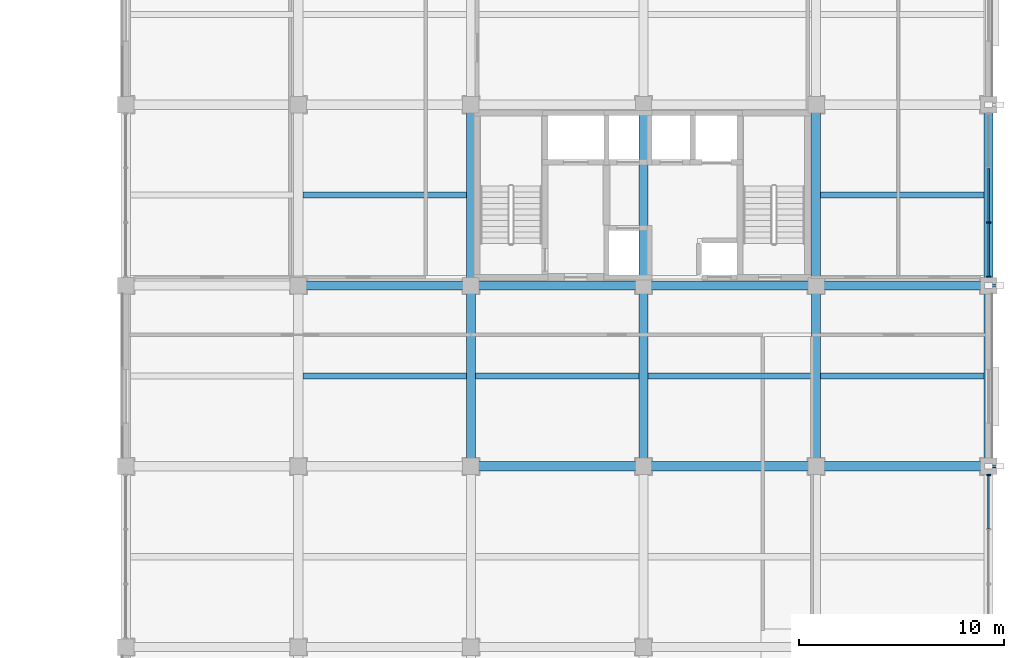
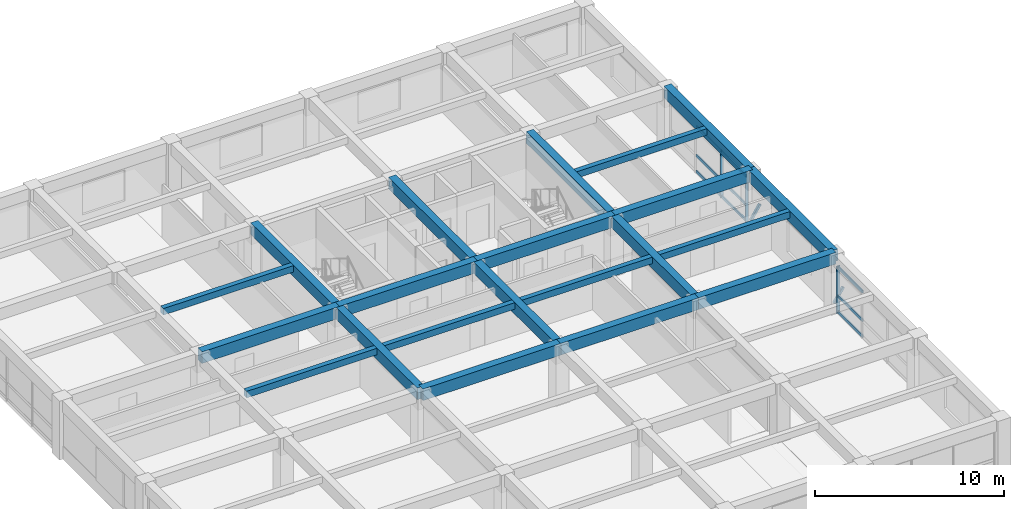
# One storey, part 5 of 16: 21 beams, 14 members, 2 elements without a shape of their own.
"""IFC4 building model written with IfcOpenShell, lengths in metres."""

from ifc_helpers import new_model, si_unit, direction, frame, origin, origin_2d, place, context, subcontext, project, spatial, rectangle, hollow_rectangle, extrude, material, material_profile, profile_set, type_object, element, aggregate, save


model = new_model("IFC4")

# Units and contexts
model_context = context("Model", 3, precision=1e-05, world=origin(), true_north=direction((0.0, 1.0)))
body_context = subcontext(model_context, "Body", "Model", "MODEL_VIEW")
ifc_project = project(units=[si_unit("LENGTHUNIT", "METRE"), si_unit("AREAUNIT", "SQUARE_METRE"), si_unit("VOLUMEUNIT", "CUBIC_METRE"), si_unit("PLANEANGLEUNIT", "RADIAN"), si_unit("MASSUNIT", "GRAM", prefix="KILO")], contexts=[model_context])

# Site, building, storey
site_placement = place(None, origin())
site = spatial("IfcSite", under=ifc_project, at=site_placement, CompositionType="ELEMENT")
building_placement = place(site_placement, origin())
building = spatial("IfcBuilding", under=site, at=building_placement, Name="Kemercrest Conservatory and Botanical Centre", CompositionType="ELEMENT")
storey_placement = place(building_placement, frame((0.0, 0.0, 17.199951171875)))
storey = spatial("IfcBuildingStorey", under=building, at=storey_placement, Name="L04", CompositionType="ELEMENT", Elevation=17.199951171875)

# Beams
ifc_material_1 = material(Name="Concrete C40/50", Category="concrete")
ifc_material_profile_1 = material_profile(ifc_material_1, rectangle(XDim=0.449951171875, YDim=0.75, at=origin_2d()), Name="RC 450x750")
ifc_profile_set_1 = profile_set([ifc_material_profile_1], Name="Concrete C40/50")
beam_type_1 = type_object("IfcBeamType", Name="BM-RC75", PredefinedType="BEAM", material=ifc_profile_set_1)
beam_1_placement = place(storey_placement, frame((150.800048828125, 96.0, 3.425048828125), z_axis=(1.0, 0.0, 0.0), x_axis=(0.0, 1.0, 0.0)))
element("IfcBeam", 1, at=beam_1_placement, inside=storey, type_object=beam_type_1, Name="V4-L05 beam BM-RC75 L/18-19", PredefinedType="BEAM", context=body_context, shape_type="SweptSolid", body=[
    extrude(rectangle(XDim=0.449951171875, YDim=0.75, at=origin_2d()), origin(), (0.0, 0.0, 1.0), 8.39990234375),
])
beam_2_placement = place(storey_placement, frame((159.199951171875, 96.0, 3.425048828125), z_axis=(1.0, 0.0, 0.0), x_axis=(0.0, 1.0, 0.0)))
element("IfcBeam", 2, at=beam_2_placement, inside=storey, type_object=beam_type_1, Name="V4-L05 beam BM-RC75 L/19-20", PredefinedType="BEAM", context=body_context, shape_type="SweptSolid", body=[
    extrude(rectangle(XDim=0.449951171875, YDim=0.75, at=origin_2d()), origin(), (0.0, 0.0, 1.0), 8.400146484375),
])
beam_3_placement = place(storey_placement, frame((167.60009765625, 96.0, 3.425048828125), z_axis=(1.0, 0.0, 0.0), x_axis=(0.0, 1.0, 0.0)))
element("IfcBeam", 3, at=beam_3_placement, inside=storey, type_object=beam_type_1, Name="V4-L05 beam BM-RC75 L/20-21", PredefinedType="BEAM", context=body_context, shape_type="SweptSolid", body=[
    extrude(rectangle(XDim=0.449951171875, YDim=0.75, at=origin_2d()), origin(), (0.0, 0.0, 1.0), 8.39990234375),
])
beam_4_placement = place(storey_placement, frame((142.39990234375, 104.800048828125, 3.425048828125), z_axis=(1.0, 0.0, 0.0), x_axis=(0.0, 1.0, 0.0)))
element("IfcBeam", 4, at=beam_4_placement, inside=storey, type_object=beam_type_1, Name="V4-L05 beam BM-RC75 M/17-18", PredefinedType="BEAM", context=body_context, shape_type="SweptSolid", body=[
    extrude(rectangle(XDim=0.449951171875, YDim=0.75, at=origin_2d()), origin(), (0.0, 0.0, 1.0), 8.400146484375),
])
beam_5_placement = place(storey_placement, frame((150.800048828125, 104.800048828125, 3.425048828125), z_axis=(1.0, 0.0, 0.0), x_axis=(0.0, 1.0, 0.0)))
element("IfcBeam", 5, at=beam_5_placement, inside=storey, type_object=beam_type_1, Name="V4-L05 beam BM-RC75 M/18-19", PredefinedType="BEAM", context=body_context, shape_type="SweptSolid", body=[
    extrude(rectangle(XDim=0.449951171875, YDim=0.75, at=origin_2d()), origin(), (0.0, 0.0, 1.0), 8.39990234375),
])
beam_6_placement = place(storey_placement, frame((159.199951171875, 104.800048828125, 3.425048828125), z_axis=(1.0, 0.0, 0.0), x_axis=(0.0, 1.0, 0.0)))
element("IfcBeam", 6, at=beam_6_placement, inside=storey, type_object=beam_type_1, Name="V4-L05 beam BM-RC75 M/19-20", PredefinedType="BEAM", context=body_context, shape_type="SweptSolid", body=[
    extrude(rectangle(XDim=0.449951171875, YDim=0.75, at=origin_2d()), origin(), (0.0, 0.0, 1.0), 8.400146484375),
])
beam_7_placement = place(storey_placement, frame((167.60009765625, 104.800048828125, 3.425048828125), z_axis=(1.0, 0.0, 0.0), x_axis=(0.0, 1.0, 0.0)))
element("IfcBeam", 7, at=beam_7_placement, inside=storey, type_object=beam_type_1, Name="V4-L05 beam BM-RC75 M/20-21", PredefinedType="BEAM", context=body_context, shape_type="SweptSolid", body=[
    extrude(rectangle(XDim=0.449951171875, YDim=0.75, at=origin_2d()), origin(), (0.0, 0.0, 1.0), 8.39990234375),
])
for number, where, z_axis, x_axis, name in (
    (8, (150.800048828125, 96.0, 3.425048828125), (0.0, 1.0, 0.0), (-1.0, 0.0, 0.0), "V4-L05 beam BM-RC75 18/L-M"),
    (9, (150.800048828125, 104.800048828125, 3.425048828125), (0.0, 1.0, 0.0), (-1.0, 0.0, 0.0), "V4-L05 beam BM-RC75 18/M-N"),
    (10, (159.199951171875, 96.0, 3.425048828125), (0.0, 1.0, 0.0), (-1.0, 0.0, 0.0), "V4-L05 beam BM-RC75 19/L-M"),
    (11, (159.199951171875, 104.800048828125, 3.425048828125), (0.0, 1.0, 0.0), (-1.0, 0.0, 0.0), "V4-L05 beam BM-RC75 19/M-N"),
    (12, (167.60009765625, 96.0, 3.425048828125), (0.0, 1.0, 0.0), (-1.0, 0.0, 0.0), "V4-L05 beam BM-RC75 20/L-M"),
    (13, (167.60009765625, 104.800048828125, 3.425048828125), (0.0, 1.0, 0.0), (-1.0, 0.0, 0.0), "V4-L05 beam BM-RC75 20/M-N"),
):
    element("IfcBeam", number, at=place(storey_placement, frame(where, z_axis=z_axis, x_axis=x_axis)), inside=storey, type_object=beam_type_1, Name=name, PredefinedType="BEAM", context=body_context, shape_type="SweptSolid", body=[
        extrude(rectangle(XDim=0.449951171875, YDim=0.75, at=origin_2d()), origin(), (0.0, 0.0, 1.0), 8.800048828125),
    ])

# Members
ifc_material_2 = material(Name="Steel CSA G40.21 350W", Category="steel")
ifc_material_profile_2 = material_profile(ifc_material_2, hollow_rectangle(XDim=0.15234375, YDim=0.15234375, WallThickness=0.009521484375, InnerFilletRadius=0.009521484375, OuterFilletRadius=0.01904296875, at=origin_2d()), Name="HSS 152x152x9.5")
ifc_profile_set_2 = profile_set([ifc_material_profile_2], Name="Steel CSA G40.21 350W")
member_type_1 = type_object("IfcMemberType", Name="BR-CUM152", PredefinedType="BRACE", material=ifc_profile_set_2)
for number, where, z_axis, x_axis, name in (
    (14, (176.0, 96.0, 0.400146484375), (0.543351270749, 0.0, 0.839505447615), (0.0, 1.0, 0.0), "Tower cumba projecting bay knee brace strut L04-1"),
    (15, (176.0, 104.800048828125, 0.400146484375), (0.543351270749, 0.0, 0.839505447615), (0.0, 1.0, 0.0), "Tower cumba projecting bay knee brace strut L04-2"),
):
    element("IfcMember", number, at=place(storey_placement, frame(where, z_axis=z_axis, x_axis=x_axis)), inside=storey, type_object=member_type_1, Name=name, PredefinedType="BRACE", context=body_context, shape_type="SweptSolid", body=[
        extrude(hollow_rectangle(XDim=0.15234375, YDim=0.15234375, WallThickness=0.009521484375, InnerFilletRadius=0.009521484375, OuterFilletRadius=0.01904296875, at=origin_2d()), origin(), (0.0, 0.0, 1.0), 1.01220703125),
    ])

# Curtain wall, member
ifc_material_3 = material(Name="Thermally broken aluminium and triple low-e glazing", Category="aluminium")
curtain_wall_type_1 = type_object("IfcCurtainWallType", Name="CW-12", PredefinedType="USERDEFINED", material=ifc_material_3)
curtain_wall_1_placement = place(storey_placement, origin())
curtain_wall_1 = element("IfcCurtainWall", 16, at=curtain_wall_1_placement, inside=storey, type_object=curtain_wall_type_1, Name="Unitised curtain wall CW-12 (CW:L04:V4-071)", ObjectType="UNITISED CURTAIN WALL", PredefinedType="USERDEFINED")
ifc_material_4 = material(Name="Thermally broken anodized aluminium 6063-T6", Category="aluminium")
ifc_material_profile_3 = material_profile(ifc_material_4, rectangle(XDim=0.199951171875, YDim=0.06494140625, at=origin_2d()), Name="AL MULLION 65x200")
ifc_profile_set_3 = profile_set([ifc_material_profile_3], Name="Thermally broken anodized aluminium 6063-T6")
member_type_2 = type_object("IfcMemberType", Name="CW-M200", PredefinedType="MULLION", material=ifc_profile_set_3)
member_1_placement = place(storey_placement, frame((176.0, 95.572509765625, 0.0), z_axis=(0.0, 0.0, 1.0), x_axis=(-1.0, 0.0, 0.0)))
member_1 = element("IfcMember", 17, at=member_1_placement, type_object=member_type_2, Name="CW-12 mullion 4", PredefinedType="MULLION", context=body_context, shape_type="SweptSolid", body=[
    extrude(rectangle(XDim=0.199951171875, YDim=0.06494140625, at=origin_2d()), origin(), (0.0, 0.0, 1.0), 3.054931640625),
])

# Curtain wall, members
curtain_wall_type_2 = type_object("IfcCurtainWallType", Name="CW-13", PredefinedType="USERDEFINED", material=ifc_material_3)
curtain_wall_2_placement = place(storey_placement, origin())
curtain_wall_2 = element("IfcCurtainWall", 18, at=curtain_wall_2_placement, inside=storey, type_object=curtain_wall_type_2, Name="Unitised curtain wall CW-13 (CW:L04:V4-072)", ObjectType="UNITISED CURTAIN WALL", PredefinedType="USERDEFINED")
member_2_placement = place(storey_placement, frame((176.0, 105.2275390625, 0.0), z_axis=(0.0, 0.0, 1.0), x_axis=(-1.0, 0.0, 0.0)))
member_2 = element("IfcMember", 19, at=member_2_placement, type_object=member_type_2, Name="CW-13 mullion 1", PredefinedType="MULLION", context=body_context, shape_type="SweptSolid", body=[
    extrude(rectangle(XDim=0.199951171875, YDim=0.06494140625, at=origin_2d()), origin(), (0.0, 0.0, 1.0), 3.054931640625),
])
member_3_placement = place(storey_placement, frame((176.0, 107.864990234375, 0.0), z_axis=(0.0, 0.0, 1.0), x_axis=(-1.0, 0.0, 0.0)))
member_3 = element("IfcMember", 20, at=member_3_placement, type_object=member_type_2, Name="CW-13 mullion 2", PredefinedType="MULLION", context=body_context, shape_type="SweptSolid", body=[
    extrude(rectangle(XDim=0.199951171875, YDim=0.06494140625, at=origin_2d()), origin(), (0.0, 0.0, 1.0), 3.054931640625),
])

# Member
ifc_material_profile_4 = material_profile(ifc_material_4, rectangle(XDim=0.074951171875, YDim=0.179931640625, at=origin_2d()), Name="AL TRANSOM 75x180")
ifc_profile_set_4 = profile_set([ifc_material_profile_4], Name="Thermally broken anodized aluminium 6063-T6")
member_type_3 = type_object("IfcMemberType", Name="CW-T180", PredefinedType="USERDEFINED", material=ifc_profile_set_4)
member_4_placement = place(storey_placement, frame((176.0, 92.967529296875, 0.090087890625), z_axis=(0.0, 1.0, 0.0), x_axis=(-1.0, 0.0, 0.0)))
member_4 = element("IfcMember", 21, at=member_4_placement, type_object=member_type_3, Name="CW-12 transom 3.1", ObjectType="TRANSOM", PredefinedType="USERDEFINED", context=body_context, shape_type="SweptSolid", body=[
    extrude(rectangle(XDim=0.074951171875, YDim=0.179931640625, at=origin_2d()), origin(), (0.0, 0.0, 1.0), 2.572509765625),
])

member_5_placement = place(storey_placement, frame((176.0, 92.967529296875, 1.1201171875), z_axis=(0.0, 1.0, 0.0), x_axis=(-1.0, 0.0, 0.0)))
member_5 = element("IfcMember", 22, at=member_5_placement, type_object=member_type_3, Name="CW-12 transom 3.2", ObjectType="TRANSOM", PredefinedType="USERDEFINED", context=body_context, shape_type="SweptSolid", body=[
    extrude(rectangle(XDim=0.074951171875, YDim=0.179931640625, at=origin_2d()), origin(), (0.0, 0.0, 1.0), 2.572509765625),
])

member_6_placement = place(storey_placement, frame((176.0, 92.967529296875, 2.965087890625), z_axis=(0.0, 1.0, 0.0), x_axis=(-1.0, 0.0, 0.0)))
member_6 = element("IfcMember", 23, at=member_6_placement, type_object=member_type_3, Name="CW-12 transom 3.3", ObjectType="TRANSOM", PredefinedType="USERDEFINED", context=body_context, shape_type="SweptSolid", body=[
    extrude(rectangle(XDim=0.074951171875, YDim=0.179931640625, at=origin_2d()), origin(), (0.0, 0.0, 1.0), 2.572509765625),
])

aggregate(curtain_wall_1, [member_1, member_4, member_5, member_6])

member_7_placement = place(storey_placement, frame((176.0, 105.260009765625, 0.090087890625), z_axis=(0.0, 1.0, 0.0), x_axis=(-1.0, 0.0, 0.0)))
member_7 = element("IfcMember", 24, at=member_7_placement, type_object=member_type_3, Name="CW-13 transom 1.1", ObjectType="TRANSOM", PredefinedType="USERDEFINED", context=body_context, shape_type="SweptSolid", body=[
    extrude(rectangle(XDim=0.074951171875, YDim=0.179931640625, at=origin_2d()), origin(), (0.0, 0.0, 1.0), 2.572509765625),
])

member_8_placement = place(storey_placement, frame((176.0, 105.260009765625, 1.1201171875), z_axis=(0.0, 1.0, 0.0), x_axis=(-1.0, 0.0, 0.0)))
member_8 = element("IfcMember", 25, at=member_8_placement, type_object=member_type_3, Name="CW-13 transom 1.2", ObjectType="TRANSOM", PredefinedType="USERDEFINED", context=body_context, shape_type="SweptSolid", body=[
    extrude(rectangle(XDim=0.074951171875, YDim=0.179931640625, at=origin_2d()), origin(), (0.0, 0.0, 1.0), 2.572509765625),
])

member_9_placement = place(storey_placement, frame((176.0, 105.260009765625, 2.965087890625), z_axis=(0.0, 1.0, 0.0), x_axis=(-1.0, 0.0, 0.0)))
member_9 = element("IfcMember", 26, at=member_9_placement, type_object=member_type_3, Name="CW-13 transom 1.3", ObjectType="TRANSOM", PredefinedType="USERDEFINED", context=body_context, shape_type="SweptSolid", body=[
    extrude(rectangle(XDim=0.074951171875, YDim=0.179931640625, at=origin_2d()), origin(), (0.0, 0.0, 1.0), 2.572509765625),
])

member_10_placement = place(storey_placement, frame((176.0, 107.8974609375, 0.090087890625), z_axis=(0.0, 1.0, 0.0), x_axis=(-1.0, 0.0, 0.0)))
member_10 = element("IfcMember", 27, at=member_10_placement, type_object=member_type_3, Name="CW-13 transom 2.1", ObjectType="TRANSOM", PredefinedType="USERDEFINED", context=body_context, shape_type="SweptSolid", body=[
    extrude(rectangle(XDim=0.074951171875, YDim=0.179931640625, at=origin_2d()), origin(), (0.0, 0.0, 1.0), 2.60498046875),
])

member_11_placement = place(storey_placement, frame((176.0, 107.8974609375, 1.1201171875), z_axis=(0.0, 1.0, 0.0), x_axis=(-1.0, 0.0, 0.0)))
member_11 = element("IfcMember", 28, at=member_11_placement, type_object=member_type_3, Name="CW-13 transom 2.2", ObjectType="TRANSOM", PredefinedType="USERDEFINED", context=body_context, shape_type="SweptSolid", body=[
    extrude(rectangle(XDim=0.074951171875, YDim=0.179931640625, at=origin_2d()), origin(), (0.0, 0.0, 1.0), 2.60498046875),
])

member_12_placement = place(storey_placement, frame((176.0, 107.8974609375, 2.965087890625), z_axis=(0.0, 1.0, 0.0), x_axis=(-1.0, 0.0, 0.0)))
member_12 = element("IfcMember", 29, at=member_12_placement, type_object=member_type_3, Name="CW-13 transom 2.3", ObjectType="TRANSOM", PredefinedType="USERDEFINED", context=body_context, shape_type="SweptSolid", body=[
    extrude(rectangle(XDim=0.074951171875, YDim=0.179931640625, at=origin_2d()), origin(), (0.0, 0.0, 1.0), 2.60498046875),
])

aggregate(curtain_wall_2, [member_2, member_3, member_7, member_8, member_9, member_10, member_11, member_12])

# Beams
ifc_material_profile_5 = material_profile(ifc_material_1, rectangle(XDim=0.300048828125, YDim=0.419921875, at=origin_2d()), Name="RC 300x420")
ifc_profile_set_5 = profile_set([ifc_material_profile_5], Name="Concrete C40/50")
beam_type_2 = type_object("IfcBeamType", Name="JS-RC42", PredefinedType="JOIST", material=ifc_profile_set_5)
beam_8_placement = place(storey_placement, frame((142.625, 100.39990234375, 3.590087890625), z_axis=(1.0, 0.0, 0.0), x_axis=(0.0, 1.0, 0.0)))
element("IfcBeam", 30, at=beam_8_placement, inside=storey, type_object=beam_type_2, Name="V4-L05 secondary joist JS-RC42", PredefinedType="JOIST", context=body_context, shape_type="SweptSolid", body=[
    extrude(rectangle(XDim=0.300048828125, YDim=0.419921875, at=origin_2d()), origin(), (0.0, 0.0, 1.0), 7.949951171875),
])
beam_9_placement = place(storey_placement, frame((151.02490234375, 100.39990234375, 3.590087890625), z_axis=(1.0, 0.0, 0.0), x_axis=(0.0, 1.0, 0.0)))
element("IfcBeam", 31, at=beam_9_placement, inside=storey, type_object=beam_type_2, Name="V4-L05 secondary joist JS-RC42", PredefinedType="JOIST", context=body_context, shape_type="SweptSolid", body=[
    extrude(rectangle(XDim=0.300048828125, YDim=0.419921875, at=origin_2d()), origin(), (0.0, 0.0, 1.0), 7.9501953125),
])
for number, where, z_axis, x_axis, name in (
    (32, (159.425048828125, 100.39990234375, 3.590087890625), (1.0, 0.0, 0.0), (0.0, 1.0, 0.0), "V4-L05 secondary joist JS-RC42"),
    (33, (167.824951171875, 100.39990234375, 3.590087890625), (1.0, 0.0, 0.0), (0.0, 1.0, 0.0), "V4-L05 secondary joist JS-RC42"),
    (34, (142.625, 109.199951171875, 3.590087890625), (1.0, 0.0, 0.0), (0.0, 1.0, 0.0), "V4-L05 secondary joist JS-RC42"),
    (35, (167.824951171875, 109.199951171875, 3.590087890625), (1.0, 0.0, 0.0), (0.0, 1.0, 0.0), "V4-L05 secondary joist JS-RC42"),
):
    element("IfcBeam", number, at=place(storey_placement, frame(where, z_axis=z_axis, x_axis=x_axis)), inside=storey, type_object=beam_type_2, Name=name, PredefinedType="JOIST", context=body_context, shape_type="SweptSolid", body=[
        extrude(rectangle(XDim=0.300048828125, YDim=0.419921875, at=origin_2d()), origin(), (0.0, 0.0, 1.0), 7.949951171875),
    ])
ifc_material_profile_6 = material_profile(ifc_material_1, rectangle(XDim=0.449951171875, YDim=0.75, at=origin_2d()), Name="RC 450x750")
ifc_profile_set_6 = profile_set([ifc_material_profile_6], Name="Concrete C40/50")
beam_type_3 = type_object("IfcBeamType", Name="SP-RC75", PredefinedType="SPANDREL", material=ifc_profile_set_6)
for number, where, z_axis, x_axis, name in (
    (36, (176.0, 96.0, 3.425048828125), (0.0, 1.0, 0.0), (-1.0, 0.0, 0.0), "V4-L05 beam SP-RC75 21/L-M"),
    (37, (176.0, 104.800048828125, 3.425048828125), (0.0, 1.0, 0.0), (-1.0, 0.0, 0.0), "V4-L05 beam SP-RC75 21/M-N"),
):
    element("IfcBeam", number, at=place(storey_placement, frame(where, z_axis=z_axis, x_axis=x_axis)), inside=storey, type_object=beam_type_3, Name=name, PredefinedType="SPANDREL", context=body_context, shape_type="SweptSolid", body=[
        extrude(rectangle(XDim=0.449951171875, YDim=0.75, at=origin_2d()), origin(), (0.0, 0.0, 1.0), 8.800048828125),
    ])

save(model, "model.ifc")
